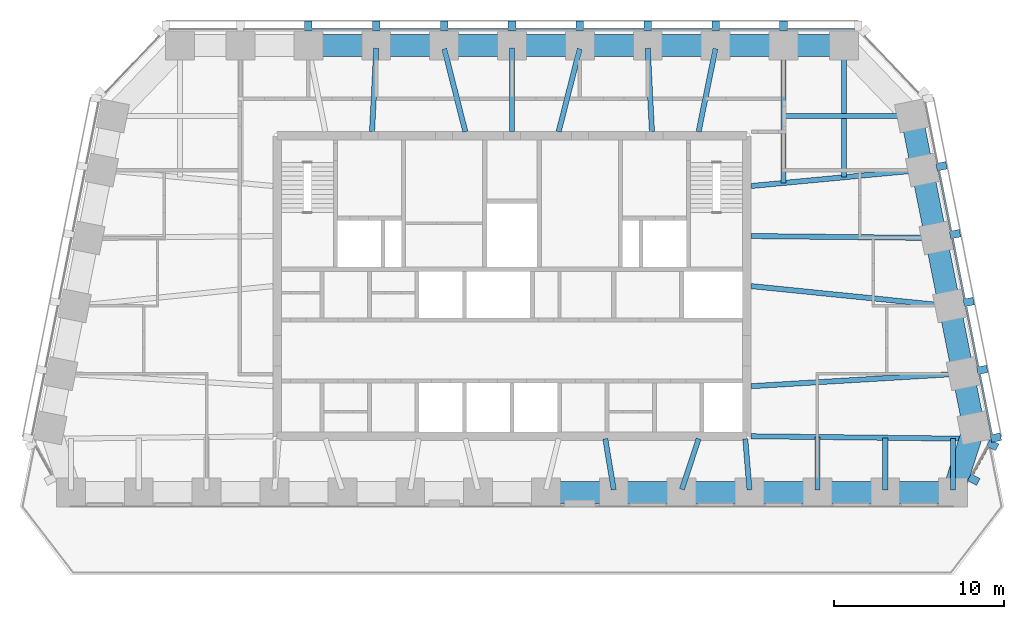
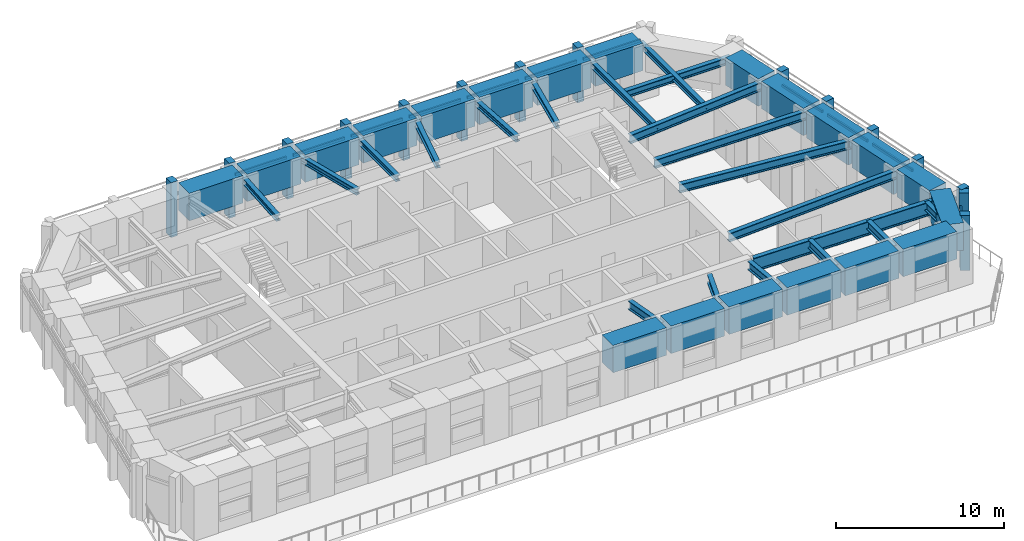
# One storey, part 2 of 9: 40 beams, 28 members, 3 elements without a shape of their own.
"""IFC4 building model written with IfcOpenShell, lengths in metres."""

from ifc_helpers import new_model, si_unit, direction, frame, origin, origin_2d, place, context, subcontext, project, spatial, rectangle, i_section, extrude, material, material_profile, profile_set, type_object, element, aggregate, save


model = new_model("IFC4")

# Units and contexts
model_context = context("Model", 3, precision=1e-05, world=origin(), true_north=direction((0.0, 1.0)))
body_context = subcontext(model_context, "Body", "Model", "MODEL_VIEW")
ifc_project = project(units=[si_unit("LENGTHUNIT", "METRE"), si_unit("AREAUNIT", "SQUARE_METRE"), si_unit("VOLUMEUNIT", "CUBIC_METRE"), si_unit("PLANEANGLEUNIT", "RADIAN"), si_unit("MASSUNIT", "GRAM", prefix="KILO")], contexts=[model_context])

# Site, building, storey
site_placement = place(None, origin())
site = spatial("IfcSite", under=ifc_project, at=site_placement, CompositionType="ELEMENT")
building_placement = place(site_placement, origin())
building = spatial("IfcBuilding", under=site, at=building_placement, Name="Isbrekke Arena Tower", CompositionType="ELEMENT")
storey_placement = place(building_placement, frame((0.0, 0.0, 308.0)))
storey = spatial("IfcBuildingStorey", under=building, at=storey_placement, Name="L72", CompositionType="ELEMENT", Elevation=308.0)

# Beams
ifc_material_1 = material(Name="Steel S355", Category="steel")
ifc_material_profile_1 = material_profile(ifc_material_1, i_section(OverallWidth=0.304931640625, OverallDepth=0.6201171875, WebThickness=0.02099609375, FlangeThickness=0.0400390625, FilletRadius=0.027099609375, at=origin_2d()), Name="HEM 600")
ifc_profile_set_1 = profile_set([ifc_material_profile_1], Name="Steel S355")
beam_type_1 = type_object("IfcBeamType", Name="B4 HEM 600", PredefinedType="BEAM", material=ifc_profile_set_1)
beam_1_placement = place(storey_placement, frame((5.995849609375, 2.99951171875, 3.5400390625), z_axis=(-0.163044952053, 0.986618641426, 0.0), x_axis=(-0.986618641426, -0.163044952053, 0.0)))
element("IfcBeam", 1, at=beam_1_placement, inside=storey, type_object=beam_type_1, Name="B4 beam C-S09 L72", PredefinedType="BEAM", context=body_context, shape_type="SweptSolid", body=[
    extrude(i_section(OverallWidth=0.304931640625, OverallDepth=0.6201171875, WebThickness=0.02099609375, FlangeThickness=0.0400390625, FilletRadius=0.027099609375, at=origin_2d()), origin(), (0.0, 0.0, 1.0), 3.041259765625),
])
beam_2_placement = place(storey_placement, frame((10.01513671875, 3.0205078125, 3.5400390625), z_axis=(0.313846083605, 0.949473873156, 0.0), x_axis=(-0.949473873156, 0.313846083605, 0.0)))
element("IfcBeam", 2, at=beam_2_placement, inside=storey, type_object=beam_type_1, Name="B4 beam C-S10 L72", PredefinedType="BEAM", context=body_context, shape_type="SweptSolid", body=[
    extrude(i_section(OverallWidth=0.304931640625, OverallDepth=0.6201171875, WebThickness=0.02099609375, FlangeThickness=0.0400390625, FilletRadius=0.027099609375, at=origin_2d()), origin(), (0.0, 0.0, 1.0), 3.137939453125),
])
beam_3_placement = place(storey_placement, frame((13.9990234375, 2.987548828125, 3.5400390625), z_axis=(-0.082383718089, 0.996600683822, 0.0), x_axis=(-0.996600683822, -0.082383718089, 0.0)))
element("IfcBeam", 3, at=beam_3_placement, inside=storey, type_object=beam_type_1, Name="B4 beam C-S11 L72", PredefinedType="BEAM", context=body_context, shape_type="SweptSolid", body=[
    extrude(i_section(OverallWidth=0.304931640625, OverallDepth=0.6201171875, WebThickness=0.02099609375, FlangeThickness=0.0400390625, FilletRadius=0.027099609375, at=origin_2d()), origin(), (0.0, 0.0, 1.0), 3.022705078125),
])
beam_4_placement = place(storey_placement, frame((18.0, 2.97509765625, 3.5400390625), z_axis=(0.0, 1.0, 0.0), x_axis=(-1.0, 0.0, 0.0)))
element("IfcBeam", 4, at=beam_4_placement, inside=storey, type_object=beam_type_1, Name="B4 beam C-S12 L72", PredefinedType="BEAM", context=body_context, shape_type="SweptSolid", body=[
    extrude(i_section(OverallWidth=0.304931640625, OverallDepth=0.6201171875, WebThickness=0.02099609375, FlangeThickness=0.0400390625, FilletRadius=0.027099609375, at=origin_2d()), origin(), (0.0, 0.0, 1.0), 3.13037109375),
])
beam_5_placement = place(storey_placement, frame((22.0, 2.97509765625, 3.5400390625), z_axis=(0.0, 1.0, 0.0), x_axis=(-1.0, 0.0, 0.0)))
element("IfcBeam", 5, at=beam_5_placement, inside=storey, type_object=beam_type_1, Name="B4 beam C-S13 L72", PredefinedType="BEAM", context=body_context, shape_type="SweptSolid", body=[
    extrude(i_section(OverallWidth=0.304931640625, OverallDepth=0.6201171875, WebThickness=0.02099609375, FlangeThickness=0.0400390625, FilletRadius=0.027099609375, at=origin_2d()), origin(), (0.0, 0.0, 1.0), 3.084716796875),
])
beam_6_placement = place(storey_placement, frame((26.0, 2.97509765625, 3.5400390625), z_axis=(0.0, 1.0, 0.0), x_axis=(-1.0, 0.0, 0.0)))
element("IfcBeam", 6, at=beam_6_placement, inside=storey, type_object=beam_type_1, Name="B4 beam C-S14 L72", PredefinedType="BEAM", context=body_context, shape_type="SweptSolid", body=[
    extrude(i_section(OverallWidth=0.304931640625, OverallDepth=0.6201171875, WebThickness=0.02099609375, FlangeThickness=0.0400390625, FilletRadius=0.027099609375, at=origin_2d()), origin(), (0.0, 0.0, 1.0), 3.0390625),
])
beam_7_placement = place(storey_placement, frame((26.431884765625, 9.837646484375, 3.5400390625), z_axis=(-0.998216240514, -0.059702070095, 0.0), x_axis=(0.059702070095, -0.998216240514, 0.0)))
element("IfcBeam", 7, at=beam_7_placement, inside=storey, type_object=beam_type_1, Name="B4 beam E-E02 L72", PredefinedType="BEAM", context=body_context, shape_type="SweptSolid", body=[
    extrude(i_section(OverallWidth=0.304931640625, OverallDepth=0.6201171875, WebThickness=0.02099609375, FlangeThickness=0.0400390625, FilletRadius=0.027099609375, at=origin_2d()), origin(), (0.0, 0.0, 1.0), 12.353759765625),
])
beam_8_placement = place(storey_placement, frame((25.625732421875, 13.83984375, 3.5400390625), z_axis=(-0.994972081505, 0.100152668587, 0.0), x_axis=(-0.100152668587, -0.994972081505, 0.0)))
element("IfcBeam", 8, at=beam_8_placement, inside=storey, type_object=beam_type_1, Name="B4 beam E-E03 L72", PredefinedType="BEAM", context=body_context, shape_type="SweptSolid", body=[
    extrude(i_section(OverallWidth=0.304931640625, OverallDepth=0.6201171875, WebThickness=0.02099609375, FlangeThickness=0.0400390625, FilletRadius=0.027099609375, at=origin_2d()), origin(), (0.0, 0.0, 1.0), 11.583984375),
])
beam_9_placement = place(storey_placement, frame((24.83935546875, 17.838134765625, 3.5400390625), z_axis=(-0.999945800258, 0.010411366203, 0.0), x_axis=(-0.010411366203, -0.999945800258, 0.0)))
element("IfcBeam", 9, at=beam_9_placement, inside=storey, type_object=beam_type_1, Name="B4 beam E-E04 L72", PredefinedType="BEAM", context=body_context, shape_type="SweptSolid", body=[
    extrude(i_section(OverallWidth=0.304931640625, OverallDepth=0.6201171875, WebThickness=0.02099609375, FlangeThickness=0.0400390625, FilletRadius=0.027099609375, at=origin_2d()), origin(), (0.0, 0.0, 1.0), 10.73974609375),
])
beam_10_placement = place(storey_placement, frame((24.02685546875, 21.8369140625, 3.5400390625), z_axis=(-0.995574576627, -0.093974796485, 0.0), x_axis=(0.093974796485, -0.995574576627, 0.0)))
element("IfcBeam", 10, at=beam_10_placement, inside=storey, type_object=beam_type_1, Name="B4 beam E-E05 L72", PredefinedType="BEAM", context=body_context, shape_type="SweptSolid", body=[
    extrude(i_section(OverallWidth=0.304931640625, OverallDepth=0.6201171875, WebThickness=0.02099609375, FlangeThickness=0.0400390625, FilletRadius=0.027099609375, at=origin_2d()), origin(), (0.0, 0.0, 1.0), 9.970947265625),
])
ifc_material_2 = material(Name="Steel S355", Category="steel")
ifc_material_profile_2 = material_profile(ifc_material_2, i_section(OverallWidth=0.305908203125, OverallDepth=0.52392578125, WebThickness=0.02099609375, FlangeThickness=0.0400390625, FilletRadius=0.027099609375, at=origin_2d()), Name="HEM 500")
ifc_profile_set_2 = profile_set([ifc_material_profile_2], Name="Steel S355")
beam_type_2 = type_object("IfcBeamType", Name="B5 HEM 500", PredefinedType="BEAM", material=ifc_profile_set_2)
beam_11_placement = place(storey_placement, frame((23.40283203125, 25.029296875, 3.587890625), z_axis=(-1.0, 0.0, 0.0), x_axis=(0.0, -1.0, 0.0)))
element("IfcBeam", 11, at=beam_11_placement, inside=storey, type_object=beam_type_2, Name="B5 beam E-E06 L72", PredefinedType="BEAM", context=body_context, shape_type="SweptSolid", body=[
    extrude(i_section(OverallWidth=0.305908203125, OverallDepth=0.52392578125, WebThickness=0.02099609375, FlangeThickness=0.0400390625, FilletRadius=0.027099609375, at=origin_2d()), origin(), (0.0, 0.0, 1.0), 7.40283203125),
])
ifc_material_3 = material(Name="Steel S355", Category="steel")
ifc_material_profile_3 = material_profile(ifc_material_3, i_section(OverallWidth=0.306884765625, OverallDepth=0.431884765625, WebThickness=0.02099609375, FlangeThickness=0.0400390625, FilletRadius=0.027099609375, at=origin_2d()), Name="HEM 400")
ifc_profile_set_3 = profile_set([ifc_material_profile_3], Name="Steel S355")
beam_type_3 = type_object("IfcBeamType", Name="B6 HEM 400", PredefinedType="BEAM", material=ifc_profile_set_3)
beam_12_placement = place(storey_placement, frame((19.574951171875, 29.02490234375, 3.634033203125), z_axis=(0.0, -1.0, 0.0), x_axis=(1.0, 0.0, 0.0)))
element("IfcBeam", 12, at=beam_12_placement, inside=storey, type_object=beam_type_3, Name="B6 beam N-N01 L72", PredefinedType="BEAM", context=body_context, shape_type="SweptSolid", body=[
    extrude(i_section(OverallWidth=0.306884765625, OverallDepth=0.431884765625, WebThickness=0.02099609375, FlangeThickness=0.0400390625, FilletRadius=0.027099609375, at=origin_2d()), origin(), (0.0, 0.0, 1.0), 7.608154296875),
])
beam_13_placement = place(storey_placement, frame((16.0, 29.02490234375, 3.634033203125), z_axis=(0.0, -1.0, 0.0), x_axis=(1.0, 0.0, 0.0)))
element("IfcBeam", 13, at=beam_13_placement, inside=storey, type_object=beam_type_3, Name="B6 beam N-N02 L72", PredefinedType="BEAM", context=body_context, shape_type="SweptSolid", body=[
    extrude(i_section(OverallWidth=0.306884765625, OverallDepth=0.431884765625, WebThickness=0.02099609375, FlangeThickness=0.0400390625, FilletRadius=0.027099609375, at=origin_2d()), origin(), (0.0, 0.0, 1.0), 7.945556640625),
])
beam_14_placement = place(storey_placement, frame((11.993896484375, 28.9951171875, 3.634033203125), z_axis=(-0.198982177337, -0.980003108721, 0.0), x_axis=(0.980003108721, -0.198982177337, 0.0)))
element("IfcBeam", 14, at=beam_14_placement, inside=storey, type_object=beam_type_3, Name="B6 beam N-N03 L72", PredefinedType="BEAM", context=body_context, shape_type="SweptSolid", body=[
    extrude(i_section(OverallWidth=0.306884765625, OverallDepth=0.431884765625, WebThickness=0.02099609375, FlangeThickness=0.0400390625, FilletRadius=0.027099609375, at=origin_2d()), origin(), (0.0, 0.0, 1.0), 4.994873046875),
])
beam_15_placement = place(storey_placement, frame((8.00048828125, 29.017333984375, 3.634033203125), z_axis=(0.050677067868, -0.998715091902, 0.0), x_axis=(0.998715091902, 0.050677067868, 0.0)))
element("IfcBeam", 15, at=beam_15_placement, inside=storey, type_object=beam_type_3, Name="B6 beam N-N04 L72", PredefinedType="BEAM", context=body_context, shape_type="SweptSolid", body=[
    extrude(i_section(OverallWidth=0.306884765625, OverallDepth=0.431884765625, WebThickness=0.02099609375, FlangeThickness=0.0400390625, FilletRadius=0.027099609375, at=origin_2d()), origin(), (0.0, 0.0, 1.0), 4.923583984375),
])
beam_16_placement = place(storey_placement, frame((3.99072265625, 28.98828125, 3.634033203125), z_axis=(-0.246019579109, -0.969264858898, 0.0), x_axis=(0.969264858898, -0.246019579109, 0.0)))
element("IfcBeam", 16, at=beam_16_placement, inside=storey, type_object=beam_type_3, Name="B6 beam N-N05 L72", PredefinedType="BEAM", context=body_context, shape_type="SweptSolid", body=[
    extrude(i_section(OverallWidth=0.306884765625, OverallDepth=0.431884765625, WebThickness=0.02099609375, FlangeThickness=0.0400390625, FilletRadius=0.027099609375, at=origin_2d()), origin(), (0.0, 0.0, 1.0), 5.043212890625),
])
beam_17_placement = place(storey_placement, frame((0.0, 29.02490234375, 3.634033203125), z_axis=(0.0, -1.0, 0.0), x_axis=(1.0, 0.0, 0.0)))
element("IfcBeam", 17, at=beam_17_placement, inside=storey, type_object=beam_type_3, Name="B6 beam N-N06 L72", PredefinedType="BEAM", context=body_context, shape_type="SweptSolid", body=[
    extrude(i_section(OverallWidth=0.306884765625, OverallDepth=0.431884765625, WebThickness=0.02099609375, FlangeThickness=0.0400390625, FilletRadius=0.027099609375, at=origin_2d()), origin(), (0.0, 0.0, 1.0), 4.9248046875),
])
beam_18_placement = place(storey_placement, frame((-3.99072265625, 28.98828125, 3.634033203125), z_axis=(0.246019579109, -0.969264858898, 0.0), x_axis=(0.969264858898, 0.246019579109, 0.0)))
element("IfcBeam", 18, at=beam_18_placement, inside=storey, type_object=beam_type_3, Name="B6 beam N-N07 L72", PredefinedType="BEAM", context=body_context, shape_type="SweptSolid", body=[
    extrude(i_section(OverallWidth=0.306884765625, OverallDepth=0.431884765625, WebThickness=0.02099609375, FlangeThickness=0.0400390625, FilletRadius=0.027099609375, at=origin_2d()), origin(), (0.0, 0.0, 1.0), 5.043212890625),
])
beam_19_placement = place(storey_placement, frame((-8.00048828125, 29.017333984375, 3.634033203125), z_axis=(-0.050677067868, -0.998715091902, 0.0), x_axis=(0.998715091902, -0.050677067868, 0.0)))
element("IfcBeam", 19, at=beam_19_placement, inside=storey, type_object=beam_type_3, Name="B6 beam N-N08 L72", PredefinedType="BEAM", context=body_context, shape_type="SweptSolid", body=[
    extrude(i_section(OverallWidth=0.306884765625, OverallDepth=0.431884765625, WebThickness=0.02099609375, FlangeThickness=0.0400390625, FilletRadius=0.027099609375, at=origin_2d()), origin(), (0.0, 0.0, 1.0), 4.923583984375),
])

# Curtain wall, members
ifc_material_4 = material(Name="Glazed aluminium curtain wall", Category="aluminium")
curtain_wall_type = type_object("IfcCurtainWallType", Name="CWT TOWER CURTAIN WALL TOP ZONE", PredefinedType="USERDEFINED", material=ifc_material_4)
curtain_wall_1_placement = place(storey_placement, origin())
curtain_wall_1 = element("IfcCurtainWall", 20, at=curtain_wall_1_placement, inside=storey, type_object=curtain_wall_type, Name="CWT curtain wall L72-SE", ObjectType="TOWER CURTAIN WALL TOP ZONE", PredefinedType="USERDEFINED")
ifc_material_5 = material(Name="Copper-clad aluminium mullion", Category="aluminium")
ifc_material_profile_4 = material_profile(ifc_material_5, rectangle(XDim=0.449951171875, YDim=0.60009765625, at=origin_2d()), Name="PIER 450X600")
ifc_profile_set_4 = profile_set([ifc_material_profile_4], Name="Copper-clad aluminium mullion")
member_type_1 = type_object("IfcMemberType", Name="CWT-M PIER MULLION 450 x 600", PredefinedType="MULLION", material=ifc_profile_set_4)
member_1_placement = place(storey_placement, frame((27.218994140625, 3.593994140625, 0.0), z_axis=(0.0, 0.0, 1.0), x_axis=(0.481918749773, 0.876215908676, 0.0)))
member_1 = element("IfcMember", 21, at=member_1_placement, type_object=member_type_1, Name="CWT-M mullion 1", PredefinedType="MULLION", context=body_context, shape_type="SweptSolid", body=[
    extrude(rectangle(XDim=0.449951171875, YDim=0.60009765625, at=origin_2d()), origin(), (0.0, 0.0, 1.0), 4.0),
])
member_2_placement = place(storey_placement, frame((28.340087890625, 5.632080078125, 0.0), z_axis=(0.0, 0.0, 1.0), x_axis=(0.481918749773, 0.876215908676, 0.0)))
member_2 = element("IfcMember", 22, at=member_2_placement, type_object=member_type_1, Name="CWT-M mullion 2", PredefinedType="MULLION", context=body_context, shape_type="SweptSolid", body=[
    extrude(rectangle(XDim=0.449951171875, YDim=0.60009765625, at=origin_2d()), origin(), (0.0, 0.0, 1.0), 4.0),
])

curtain_wall_2_placement = place(storey_placement, origin())
curtain_wall_2 = element("IfcCurtainWall", 23, at=curtain_wall_2_placement, inside=storey, type_object=curtain_wall_type, Name="CWT curtain wall L72-E", ObjectType="TOWER CURTAIN WALL TOP ZONE", PredefinedType="USERDEFINED")
member_3_placement = place(storey_placement, frame((28.518798828125, 6.063720703125, 0.0), z_axis=(0.0, 0.0, 1.0), x_axis=(-0.196116135138, 0.980580675691, 0.0)))
member_3 = element("IfcMember", 24, at=member_3_placement, type_object=member_type_1, Name="CWT-M mullion 1", PredefinedType="MULLION", context=body_context, shape_type="SweptSolid", body=[
    extrude(rectangle(XDim=0.449951171875, YDim=0.60009765625, at=origin_2d()), origin(), (0.0, 0.0, 1.0), 4.0),
])
member_4_placement = place(storey_placement, frame((27.71875, 10.063720703125, 0.0), z_axis=(0.0, 0.0, 1.0), x_axis=(-0.196116135138, 0.980580675691, 0.0)))
member_4 = element("IfcMember", 25, at=member_4_placement, type_object=member_type_1, Name="CWT-M mullion 2", PredefinedType="MULLION", context=body_context, shape_type="SweptSolid", body=[
    extrude(rectangle(XDim=0.449951171875, YDim=0.60009765625, at=origin_2d()), origin(), (0.0, 0.0, 1.0), 4.0),
])
member_5_placement = place(storey_placement, frame((26.918701171875, 14.063720703125, 0.0), z_axis=(0.0, 0.0, 1.0), x_axis=(-0.196116135138, 0.980580675691, 0.0)))
member_5 = element("IfcMember", 26, at=member_5_placement, type_object=member_type_1, Name="CWT-M mullion 3", PredefinedType="MULLION", context=body_context, shape_type="SweptSolid", body=[
    extrude(rectangle(XDim=0.449951171875, YDim=0.60009765625, at=origin_2d()), origin(), (0.0, 0.0, 1.0), 4.0),
])
member_6_placement = place(storey_placement, frame((26.11865234375, 18.063720703125, 0.0), z_axis=(0.0, 0.0, 1.0), x_axis=(-0.196116135138, 0.980580675691, 0.0)))
member_6 = element("IfcMember", 27, at=member_6_placement, type_object=member_type_1, Name="CWT-M mullion 4", PredefinedType="MULLION", context=body_context, shape_type="SweptSolid", body=[
    extrude(rectangle(XDim=0.449951171875, YDim=0.60009765625, at=origin_2d()), origin(), (0.0, 0.0, 1.0), 4.0),
])
member_7_placement = place(storey_placement, frame((25.318603515625, 22.063720703125, 0.0), z_axis=(0.0, 0.0, 1.0), x_axis=(-0.196116135138, 0.980580675691, 0.0)))
member_7 = element("IfcMember", 28, at=member_7_placement, type_object=member_type_1, Name="CWT-M mullion 5", PredefinedType="MULLION", context=body_context, shape_type="SweptSolid", body=[
    extrude(rectangle(XDim=0.449951171875, YDim=0.60009765625, at=origin_2d()), origin(), (0.0, 0.0, 1.0), 4.0),
])

curtain_wall_3_placement = place(storey_placement, origin())
curtain_wall_3 = element("IfcCurtainWall", 29, at=curtain_wall_3_placement, inside=storey, type_object=curtain_wall_type, Name="CWT curtain wall L72-N", ObjectType="TOWER CURTAIN WALL TOP ZONE", PredefinedType="USERDEFINED")
member_8_placement = place(storey_placement, frame((16.0, 30.324951171875, 0.0), z_axis=(0.0, 0.0, 1.0), x_axis=(-1.0, 0.0, 0.0)))
member_8 = element("IfcMember", 30, at=member_8_placement, type_object=member_type_1, Name="CWT-M mullion 2", PredefinedType="MULLION", context=body_context, shape_type="SweptSolid", body=[
    extrude(rectangle(XDim=0.449951171875, YDim=0.60009765625, at=origin_2d()), origin(), (0.0, 0.0, 1.0), 4.0),
])
member_9_placement = place(storey_placement, frame((12.0, 30.324951171875, 0.0), z_axis=(0.0, 0.0, 1.0), x_axis=(-1.0, 0.0, 0.0)))
member_9 = element("IfcMember", 31, at=member_9_placement, type_object=member_type_1, Name="CWT-M mullion 3", PredefinedType="MULLION", context=body_context, shape_type="SweptSolid", body=[
    extrude(rectangle(XDim=0.449951171875, YDim=0.60009765625, at=origin_2d()), origin(), (0.0, 0.0, 1.0), 4.0),
])
member_10_placement = place(storey_placement, frame((8.0, 30.324951171875, 0.0), z_axis=(0.0, 0.0, 1.0), x_axis=(-1.0, 0.0, 0.0)))
member_10 = element("IfcMember", 32, at=member_10_placement, type_object=member_type_1, Name="CWT-M mullion 4", PredefinedType="MULLION", context=body_context, shape_type="SweptSolid", body=[
    extrude(rectangle(XDim=0.449951171875, YDim=0.60009765625, at=origin_2d()), origin(), (0.0, 0.0, 1.0), 4.0),
])
member_11_placement = place(storey_placement, frame((4.0, 30.324951171875, 0.0), z_axis=(0.0, 0.0, 1.0), x_axis=(-1.0, 0.0, 0.0)))
member_11 = element("IfcMember", 33, at=member_11_placement, type_object=member_type_1, Name="CWT-M mullion 5", PredefinedType="MULLION", context=body_context, shape_type="SweptSolid", body=[
    extrude(rectangle(XDim=0.449951171875, YDim=0.60009765625, at=origin_2d()), origin(), (0.0, 0.0, 1.0), 4.0),
])
member_12_placement = place(storey_placement, frame((0.0, 30.324951171875, 0.0), z_axis=(0.0, 0.0, 1.0), x_axis=(-1.0, 0.0, 0.0)))
member_12 = element("IfcMember", 34, at=member_12_placement, type_object=member_type_1, Name="CWT-M mullion 6", PredefinedType="MULLION", context=body_context, shape_type="SweptSolid", body=[
    extrude(rectangle(XDim=0.449951171875, YDim=0.60009765625, at=origin_2d()), origin(), (0.0, 0.0, 1.0), 4.0),
])
member_13_placement = place(storey_placement, frame((-4.0, 30.324951171875, 0.0), z_axis=(0.0, 0.0, 1.0), x_axis=(-1.0, 0.0, 0.0)))
member_13 = element("IfcMember", 35, at=member_13_placement, type_object=member_type_1, Name="CWT-M mullion 7", PredefinedType="MULLION", context=body_context, shape_type="SweptSolid", body=[
    extrude(rectangle(XDim=0.449951171875, YDim=0.60009765625, at=origin_2d()), origin(), (0.0, 0.0, 1.0), 4.0),
])
member_14_placement = place(storey_placement, frame((-8.0, 30.324951171875, 0.0), z_axis=(0.0, 0.0, 1.0), x_axis=(-1.0, 0.0, 0.0)))
member_14 = element("IfcMember", 36, at=member_14_placement, type_object=member_type_1, Name="CWT-M mullion 8", PredefinedType="MULLION", context=body_context, shape_type="SweptSolid", body=[
    extrude(rectangle(XDim=0.449951171875, YDim=0.60009765625, at=origin_2d()), origin(), (0.0, 0.0, 1.0), 4.0),
])
member_15_placement = place(storey_placement, frame((-12.0, 30.324951171875, 0.0), z_axis=(0.0, 0.0, 1.0), x_axis=(-1.0, 0.0, 0.0)))
member_15 = element("IfcMember", 37, at=member_15_placement, type_object=member_type_1, Name="CWT-M mullion 9", PredefinedType="MULLION", context=body_context, shape_type="SweptSolid", body=[
    extrude(rectangle(XDim=0.449951171875, YDim=0.60009765625, at=origin_2d()), origin(), (0.0, 0.0, 1.0), 4.0),
])

# Member
ifc_material_6 = material(Name="Aluminium transom", Category="aluminium")
ifc_material_profile_5 = material_profile(ifc_material_6, rectangle(XDim=0.1201171875, YDim=0.199951171875, at=origin_2d()), Name="TRANSOM 120X200")
ifc_profile_set_5 = profile_set([ifc_material_profile_5], Name="Aluminium transom")
member_type_2 = type_object("IfcMemberType", Name="CWT-T TRANSOM 120 x 200", PredefinedType="USERDEFINED", material=ifc_profile_set_5)
member_16_placement = place(storey_placement, frame((27.152099609375, 3.887451171875, 3.0), z_axis=(0.482003669577, 0.876169197424, 0.0), x_axis=(-0.876169197424, 0.482003669577, 0.0)))
member_16 = element("IfcMember", 38, at=member_16_placement, type_object=member_type_2, Name="CWT-T transom 1", ObjectType="TRANSOM", PredefinedType="USERDEFINED", context=body_context, shape_type="SweptSolid", body=[
    extrude(rectangle(XDim=0.1201171875, YDim=0.199951171875, at=origin_2d()), origin(), (0.0, 0.0, 1.0), 1.876220703125),
])

aggregate(curtain_wall_1, [member_1, member_2, member_16])

member_17_placement = place(storey_placement, frame((28.278564453125, 6.2451171875, 3.0), z_axis=(-0.196154943734, 0.980572913173, 0.0), x_axis=(-0.980572913173, -0.196154943734, 0.0)))
member_17 = element("IfcMember", 39, at=member_17_placement, type_object=member_type_2, Name="CWT-T transom 1", ObjectType="TRANSOM", PredefinedType="USERDEFINED", context=body_context, shape_type="SweptSolid", body=[
    extrude(rectangle(XDim=0.1201171875, YDim=0.199951171875, at=origin_2d()), origin(), (0.0, 0.0, 1.0), 3.62939453125),
])

member_18_placement = place(storey_placement, frame((27.478515625, 10.2451171875, 3.0), z_axis=(-0.196154943734, 0.980572913173, 0.0), x_axis=(-0.980572913173, -0.196154943734, 0.0)))
member_18 = element("IfcMember", 40, at=member_18_placement, type_object=member_type_2, Name="CWT-T transom 2", ObjectType="TRANSOM", PredefinedType="USERDEFINED", context=body_context, shape_type="SweptSolid", body=[
    extrude(rectangle(XDim=0.1201171875, YDim=0.199951171875, at=origin_2d()), origin(), (0.0, 0.0, 1.0), 3.62939453125),
])

member_19_placement = place(storey_placement, frame((26.678466796875, 14.2451171875, 3.0), z_axis=(-0.196090262229, 0.980585849918, 0.0), x_axis=(-0.980585849918, -0.196090262229, 0.0)))
member_19 = element("IfcMember", 41, at=member_19_placement, type_object=member_type_2, Name="CWT-T transom 3", ObjectType="TRANSOM", PredefinedType="USERDEFINED", context=body_context, shape_type="SweptSolid", body=[
    extrude(rectangle(XDim=0.1201171875, YDim=0.199951171875, at=origin_2d()), origin(), (0.0, 0.0, 1.0), 3.62939453125),
])

member_20_placement = place(storey_placement, frame((25.87841796875, 18.2451171875, 3.0), z_axis=(-0.196090262229, 0.980585849918, 0.0), x_axis=(-0.980585849918, -0.196090262229, 0.0)))
member_20 = element("IfcMember", 42, at=member_20_placement, type_object=member_type_2, Name="CWT-T transom 4", ObjectType="TRANSOM", PredefinedType="USERDEFINED", context=body_context, shape_type="SweptSolid", body=[
    extrude(rectangle(XDim=0.1201171875, YDim=0.199951171875, at=origin_2d()), origin(), (0.0, 0.0, 1.0), 3.62939453125),
])

aggregate(curtain_wall_2, [member_3, member_4, member_5, member_6, member_7, member_17, member_18, member_19, member_20])

member_21_placement = place(storey_placement, frame((20.175048828125, 30.125, 3.0), z_axis=(-1.0, 0.0, 0.0), x_axis=(0.0, -1.0, 0.0)))
member_21 = element("IfcMember", 43, at=member_21_placement, type_object=member_type_2, Name="CWT-T transom 1", ObjectType="TRANSOM", PredefinedType="USERDEFINED", context=body_context, shape_type="SweptSolid", body=[
    extrude(rectangle(XDim=0.1201171875, YDim=0.199951171875, at=origin_2d()), origin(), (0.0, 0.0, 1.0), 3.949951171875),
])

member_22_placement = place(storey_placement, frame((15.77490234375, 30.125, 3.0), z_axis=(-1.0, 0.0, 0.0), x_axis=(0.0, -1.0, 0.0)))
member_22 = element("IfcMember", 44, at=member_22_placement, type_object=member_type_2, Name="CWT-T transom 2", ObjectType="TRANSOM", PredefinedType="USERDEFINED", context=body_context, shape_type="SweptSolid", body=[
    extrude(rectangle(XDim=0.1201171875, YDim=0.199951171875, at=origin_2d()), origin(), (0.0, 0.0, 1.0), 3.5498046875),
])

member_23_placement = place(storey_placement, frame((11.77490234375, 30.125, 3.0), z_axis=(-1.0, 0.0, 0.0), x_axis=(0.0, -1.0, 0.0)))
member_23 = element("IfcMember", 45, at=member_23_placement, type_object=member_type_2, Name="CWT-T transom 3", ObjectType="TRANSOM", PredefinedType="USERDEFINED", context=body_context, shape_type="SweptSolid", body=[
    extrude(rectangle(XDim=0.1201171875, YDim=0.199951171875, at=origin_2d()), origin(), (0.0, 0.0, 1.0), 3.5498046875),
])

member_24_placement = place(storey_placement, frame((7.77490234375, 30.125, 3.0), z_axis=(-1.0, 0.0, 0.0), x_axis=(0.0, -1.0, 0.0)))
member_24 = element("IfcMember", 46, at=member_24_placement, type_object=member_type_2, Name="CWT-T transom 4", ObjectType="TRANSOM", PredefinedType="USERDEFINED", context=body_context, shape_type="SweptSolid", body=[
    extrude(rectangle(XDim=0.1201171875, YDim=0.199951171875, at=origin_2d()), origin(), (0.0, 0.0, 1.0), 3.5498046875),
])

member_25_placement = place(storey_placement, frame((3.77490234375, 30.125, 3.0), z_axis=(-1.0, 0.0, 0.0), x_axis=(0.0, -1.0, 0.0)))
member_25 = element("IfcMember", 47, at=member_25_placement, type_object=member_type_2, Name="CWT-T transom 5", ObjectType="TRANSOM", PredefinedType="USERDEFINED", context=body_context, shape_type="SweptSolid", body=[
    extrude(rectangle(XDim=0.1201171875, YDim=0.199951171875, at=origin_2d()), origin(), (0.0, 0.0, 1.0), 3.5498046875),
])

member_26_placement = place(storey_placement, frame((-0.22509765625, 30.125, 3.0), z_axis=(-1.0, 0.0, 0.0), x_axis=(0.0, -1.0, 0.0)))
member_26 = element("IfcMember", 48, at=member_26_placement, type_object=member_type_2, Name="CWT-T transom 6", ObjectType="TRANSOM", PredefinedType="USERDEFINED", context=body_context, shape_type="SweptSolid", body=[
    extrude(rectangle(XDim=0.1201171875, YDim=0.199951171875, at=origin_2d()), origin(), (0.0, 0.0, 1.0), 3.5498046875),
])

member_27_placement = place(storey_placement, frame((-4.22509765625, 30.125, 3.0), z_axis=(-1.0, 0.0, 0.0), x_axis=(0.0, -1.0, 0.0)))
member_27 = element("IfcMember", 49, at=member_27_placement, type_object=member_type_2, Name="CWT-T transom 7", ObjectType="TRANSOM", PredefinedType="USERDEFINED", context=body_context, shape_type="SweptSolid", body=[
    extrude(rectangle(XDim=0.1201171875, YDim=0.199951171875, at=origin_2d()), origin(), (0.0, 0.0, 1.0), 3.5498046875),
])

member_28_placement = place(storey_placement, frame((-8.22509765625, 30.125, 3.0), z_axis=(-1.0, 0.0, 0.0), x_axis=(0.0, -1.0, 0.0)))
member_28 = element("IfcMember", 50, at=member_28_placement, type_object=member_type_2, Name="CWT-T transom 8", ObjectType="TRANSOM", PredefinedType="USERDEFINED", context=body_context, shape_type="SweptSolid", body=[
    extrude(rectangle(XDim=0.1201171875, YDim=0.199951171875, at=origin_2d()), origin(), (0.0, 0.0, 1.0), 3.5498046875),
])

aggregate(curtain_wall_3, [member_8, member_9, member_10, member_11, member_12, member_13, member_14, member_15, member_21, member_22, member_23, member_24, member_25, member_26, member_27, member_28])

# Beams
ifc_material_7 = material(Name="Steel S355", Category="steel")
ifc_material_profile_6 = material_profile(ifc_material_7, i_section(OverallWidth=0.302001953125, OverallDepth=1.008056640625, WebThickness=0.02099609375, FlangeThickness=0.0400390625, FilletRadius=0.030029296875, at=origin_2d()), Name="HEM 1000")
ifc_profile_set_6 = profile_set([ifc_material_profile_6], Name="Steel S355")
beam_type_4 = type_object("IfcBeamType", Name="G2 HEM 1000", PredefinedType="BEAM", material=ifc_profile_set_6)
beam_20_placement = place(storey_placement, frame((14.10009765625, 6.14990234375, 3.345947265625), z_axis=(0.999934809516, -0.011418262471, 0.0), x_axis=(0.011418262471, 0.999934809516, 0.0)))
element("IfcBeam", 51, at=beam_20_placement, inside=storey, type_object=beam_type_4, Name="G2 beam G2-E L72", PredefinedType="BEAM", context=body_context, shape_type="SweptSolid", body=[
    extrude(i_section(OverallWidth=0.302001953125, OverallDepth=1.008056640625, WebThickness=0.02099609375, FlangeThickness=0.0400390625, FilletRadius=0.030029296875, at=origin_2d()), origin(), (0.0, 0.0, 1.0), 13.12841796875),
])
ifc_material_8 = material(Name="Concrete B55 (C55/67)", Category="concrete")
ifc_material_profile_7 = material_profile(ifc_material_8, rectangle(XDim=1.300048828125, YDim=2.0, at=origin_2d()), Name="RC 1300x2000")
ifc_profile_set_7 = profile_set([ifc_material_profile_7], Name="Concrete B55 (C55/67)")
beam_type_5 = type_object("IfcBeamType", Name="SB4 RC 1300 x 2000", PredefinedType="SPANDREL", material=ifc_profile_set_7)
for number, where, z_axis, x_axis, name in (
    (52, (2.14990234375, 2.824951171875, 3.0), (1.0, 0.0, 0.0), (0.0, 1.0, 0.0), "SB4 spandrel S08-S09 L72"),
    (53, (6.14990234375, 2.824951171875, 3.0), (1.0, 0.0, 0.0), (0.0, 1.0, 0.0), "SB4 spandrel S09-S10 L72"),
    (54, (10.14990234375, 2.824951171875, 3.0), (1.0, 0.0, 0.0), (0.0, 1.0, 0.0), "SB4 spandrel S10-S11 L72"),
    (55, (14.14990234375, 2.824951171875, 3.0), (1.0, 0.0, 0.0), (0.0, 1.0, 0.0), "SB4 spandrel S11-S12 L72"),
    (56, (18.14990234375, 2.824951171875, 3.0), (1.0, 0.0, 0.0), (0.0, 1.0, 0.0), "SB4 spandrel S12-S13 L72"),
    (57, (22.14990234375, 2.824951171875, 3.0), (1.0, 0.0, 0.0), (0.0, 1.0, 0.0), "SB4 spandrel S13-S14 L72"),
):
    element("IfcBeam", number, at=place(storey_placement, frame(where, z_axis=z_axis, x_axis=x_axis)), inside=storey, type_object=beam_type_5, Name=name, PredefinedType="SPANDREL", context=body_context, shape_type="SweptSolid", body=[
        extrude(rectangle(XDim=1.300048828125, YDim=2.0, at=origin_2d()), origin(), (0.0, 0.0, 1.0), 3.7001953125),
    ])
beam_21_placement = place(storey_placement, frame((26.0458984375, 2.9677734375, 3.0), z_axis=(0.306175101476, 0.951975213562, 0.0), x_axis=(-0.951975213562, 0.306175101476, 0.0)))
element("IfcBeam", 58, at=beam_21_placement, inside=storey, type_object=beam_type_5, Name="SB4 spandrel S14-E01 L72", PredefinedType="SPANDREL", context=body_context, shape_type="SweptSolid", body=[
    extrude(rectangle(XDim=1.300048828125, YDim=2.0, at=origin_2d()), origin(), (0.0, 0.0, 1.0), 3.715087890625),
])
beam_22_placement = place(storey_placement, frame((27.19970703125, 6.794189453125, 3.0), z_axis=(-0.196100243168, 0.980583853951, 0.0), x_axis=(-0.980583853951, -0.196100243168, 0.0)))
element("IfcBeam", 59, at=beam_22_placement, inside=storey, type_object=beam_type_5, Name="SB4 spandrel E01-E02 L72", PredefinedType="SPANDREL", context=body_context, shape_type="SweptSolid", body=[
    extrude(rectangle(XDim=1.300048828125, YDim=2.0, at=origin_2d()), origin(), (0.0, 0.0, 1.0), 2.954345703125),
])
beam_23_placement = place(storey_placement, frame((26.5615234375, 9.9853515625, 3.0), z_axis=(-0.1960664412, 0.980590613169, 0.0), x_axis=(-0.980590613169, -0.1960664412, 0.0)))
element("IfcBeam", 60, at=beam_23_placement, inside=storey, type_object=beam_type_5, Name="SB4 spandrel E02-E03 L72", PredefinedType="SPANDREL", context=body_context, shape_type="SweptSolid", body=[
    extrude(rectangle(XDim=1.300048828125, YDim=2.0, at=origin_2d()), origin(), (0.0, 0.0, 1.0), 3.779052734375),
])
for number, where, z_axis, x_axis, name in (
    (61, (25.76171875, 13.9853515625, 3.0), (-0.196128558387, 0.980578190959, 0.0), (-0.980578190959, -0.196128558387, 0.0), "SB4 spandrel E03-E04 L72"),
    (62, (24.961669921875, 17.9853515625, 3.0), (-0.196128558387, 0.980578190959, 0.0), (-0.980578190959, -0.196128558387, 0.0), "SB4 spandrel E04-E05 L72"),
):
    element("IfcBeam", number, at=place(storey_placement, frame(where, z_axis=z_axis, x_axis=x_axis)), inside=storey, type_object=beam_type_5, Name=name, PredefinedType="SPANDREL", context=body_context, shape_type="SweptSolid", body=[
        extrude(rectangle(XDim=1.300048828125, YDim=2.0, at=origin_2d()), origin(), (0.0, 0.0, 1.0), 3.779296875),
    ])
beam_24_placement = place(storey_placement, frame((24.16162109375, 21.9853515625, 3.0), z_axis=(-0.196116135138, 0.980580675691, 0.0), x_axis=(-0.980580675691, -0.196116135138, 0.0)))
element("IfcBeam", 63, at=beam_24_placement, inside=storey, type_object=beam_type_5, Name="SB4 spandrel E05-E06 L72", PredefinedType="SPANDREL", context=body_context, shape_type="SweptSolid", body=[
    extrude(rectangle(XDim=1.300048828125, YDim=2.0, at=origin_2d()), origin(), (0.0, 0.0, 1.0), 2.9541015625),
])
beam_25_placement = place(storey_placement, frame((19.425048828125, 29.175048828125, 3.0), z_axis=(-1.0, 0.0, 0.0), x_axis=(0.0, -1.0, 0.0)))
element("IfcBeam", 64, at=beam_25_placement, inside=storey, type_object=beam_type_5, Name="SB4 spandrel N01-N02 L72", PredefinedType="SPANDREL", context=body_context, shape_type="SweptSolid", body=[
    extrude(rectangle(XDim=1.300048828125, YDim=2.0, at=origin_2d()), origin(), (0.0, 0.0, 1.0), 3.275146484375),
])
for number, where, z_axis, x_axis, name in (
    (65, (15.85009765625, 29.175048828125, 3.0), (-1.0, 0.0, 0.0), (0.0, -1.0, 0.0), "SB4 spandrel N02-N03 L72"),
    (66, (11.85009765625, 29.175048828125, 3.0), (-1.0, 0.0, 0.0), (0.0, -1.0, 0.0), "SB4 spandrel N03-N04 L72"),
    (67, (7.85009765625, 29.175048828125, 3.0), (-1.0, 0.0, 0.0), (0.0, -1.0, 0.0), "SB4 spandrel N04-N05 L72"),
    (68, (3.85009765625, 29.175048828125, 3.0), (-1.0, 0.0, 0.0), (0.0, -1.0, 0.0), "SB4 spandrel N05-N06 L72"),
    (69, (-0.14990234375, 29.175048828125, 3.0), (-1.0, 0.0, 0.0), (0.0, -1.0, 0.0), "SB4 spandrel N06-N07 L72"),
    (70, (-4.14990234375, 29.175048828125, 3.0), (-1.0, 0.0, 0.0), (0.0, -1.0, 0.0), "SB4 spandrel N07-N08 L72"),
    (71, (-8.14990234375, 29.175048828125, 3.0), (-1.0, 0.0, 0.0), (0.0, -1.0, 0.0), "SB4 spandrel N08-N09 L72"),
):
    element("IfcBeam", number, at=place(storey_placement, frame(where, z_axis=z_axis, x_axis=x_axis)), inside=storey, type_object=beam_type_5, Name=name, PredefinedType="SPANDREL", context=body_context, shape_type="SweptSolid", body=[
        extrude(rectangle(XDim=1.300048828125, YDim=2.0, at=origin_2d()), origin(), (0.0, 0.0, 1.0), 3.7001953125),
    ])

save(model, "model.ifc")
